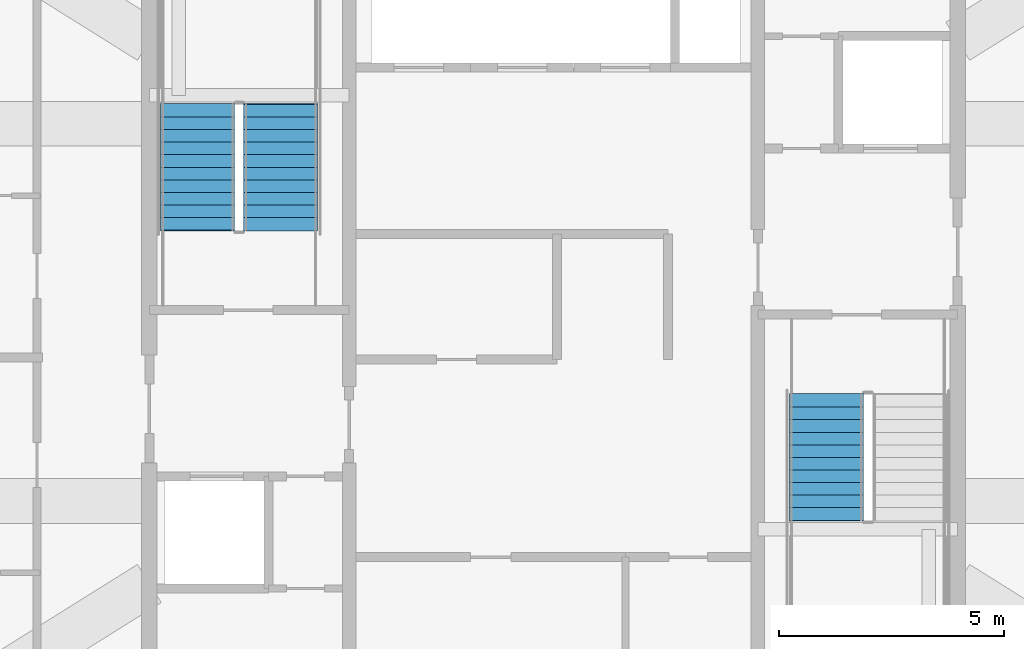
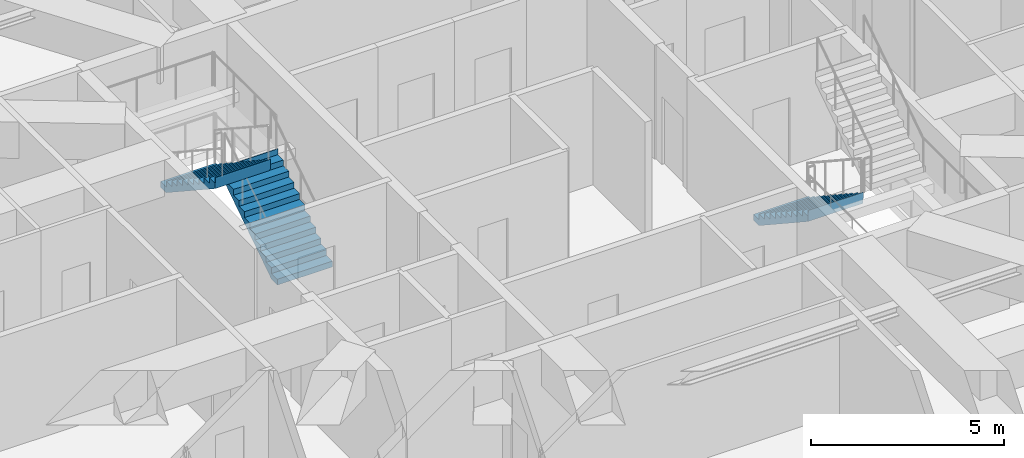
# One storey, part 34 of 40: 3 stair flights, 2 elements without a shape of their own.
"""IFC4 building model written with IfcOpenShell, lengths in metres."""

from ifc_helpers import new_model, si_unit, direction, frame, origin, place, context, subcontext, project, spatial, polygons, material, type_object, element, aggregate, save


model = new_model("IFC4")

# Units and contexts
model_context = context("Model", 3, precision=1e-05, world=origin(), true_north=direction((0.0, 1.0)))
body_context = subcontext(model_context, "Body", "Model", "MODEL_VIEW")
ifc_project = project(units=[si_unit("LENGTHUNIT", "METRE"), si_unit("AREAUNIT", "SQUARE_METRE"), si_unit("VOLUMEUNIT", "CUBIC_METRE"), si_unit("PLANEANGLEUNIT", "RADIAN"), si_unit("MASSUNIT", "GRAM", prefix="KILO")], contexts=[model_context])

# Site, building, storey
site_placement = place(None, origin())
site = spatial("IfcSite", under=ifc_project, at=site_placement, CompositionType="ELEMENT")
building_placement = place(site_placement, origin())
building = spatial("IfcBuilding", under=site, at=building_placement, Name="Serunith Strait Residences", CompositionType="ELEMENT")
storey_placement = place(building_placement, frame((0.0, 0.0, 333.949951171875)))
storey = spatial("IfcBuildingStorey", under=building, at=storey_placement, Name="L83", CompositionType="ELEMENT", Elevation=333.949951171875)

# Stair, stair flights
ifc_material = material(Name="Concrete C50/60", Category="concrete")
stair_type_1 = type_object("IfcStairType", Name="STR-CORE-1", PredefinedType="HALF_TURN_STAIR", material=ifc_material)
stair_1_placement = place(storey_placement, origin())
stair_1 = element("IfcStair", 1, at=stair_1_placement, inside=storey, type_object=stair_type_1, Name="L83 Protected Escape Stair ST-1", PredefinedType="HALF_TURN_STAIR")
stair_flight_type_1 = type_object("IfcStairFlightType", Name="FLT-CORE-1", PredefinedType="STRAIGHT", material=ifc_material)
stair_flight_1_placement = place(storey_placement, frame((26.324951171875, 27.030029296875, 0.0), z_axis=(0.0, 0.0, 1.0), x_axis=(0.0, 1.0, 0.0)))
stair_flight_1 = element("IfcStairFlight", 2, at=stair_flight_1_placement, type_object=stair_flight_type_1, Name="ST-1 flight 1", NumberOfRisers=11, NumberOfTreads=10, PredefinedType="STRAIGHT", RiserHeight=0.184090909, TreadLength=0.28, context=body_context, shape_type="Tessellation", body=[
    polygons([(-0.02001953125, -0.824951171875, 0.0), (-0.02001953125, -0.824951171875, 0.18408203125), (0.280029296875, -0.824951171875, 0.18408203125), (0.280029296875, -0.824951171875, 0.3681640625), (0.56005859375, -0.824951171875, 0.3681640625), (0.56005859375, -0.824951171875, 0.55224609375), (0.840087890625, -0.824951171875, 0.55224609375), (0.840087890625, -0.824951171875, 0.736328125), (1.1201171875, -0.824951171875, 0.736328125), (1.1201171875, -0.824951171875, 0.92041015625), (1.39990234375, -0.824951171875, 0.92041015625), (1.39990234375, -0.824951171875, 1.1044921875), (1.679931640625, -0.824951171875, 1.1044921875), (1.679931640625, -0.824951171875, 1.28857421875), (1.9599609375, -0.824951171875, 1.28857421875), (1.9599609375, -0.824951171875, 1.47265625), (2.239990234375, -0.824951171875, 1.47265625), (2.239990234375, -0.824951171875, 1.65673828125), (2.52001953125, -0.824951171875, 1.65673828125), (2.52001953125, -0.824951171875, 1.8408203125), (2.800048828125, -0.824951171875, 1.8408203125), (2.800048828125, -0.824951171875, 2.02490234375), (2.820068359375, -0.824951171875, 2.02490234375), (2.820068359375, -0.824951171875, 1.965087890625), (2.800048828125, -0.824951171875, 1.66162109375), (0.27294921875, -0.824951171875, 0.0), (-0.02001953125, -0.41259765625, 0.0), (-0.02001953125, -0.41259765625, 0.18408203125), (0.280029296875, -0.41259765625, 0.18408203125), (0.280029296875, -0.41259765625, 0.3681640625), (0.56005859375, -0.41259765625, 0.3681640625), (0.56005859375, -0.41259765625, 0.55224609375), (0.840087890625, -0.41259765625, 0.55224609375), (0.840087890625, -0.41259765625, 0.736328125), (1.1201171875, -0.41259765625, 0.736328125), (1.1201171875, -0.41259765625, 0.92041015625), (1.39990234375, -0.41259765625, 0.92041015625), (1.39990234375, -0.41259765625, 1.1044921875), (1.679931640625, -0.41259765625, 1.1044921875), (1.679931640625, -0.41259765625, 1.28857421875), (1.9599609375, -0.41259765625, 1.28857421875), (1.9599609375, -0.41259765625, 1.47265625), (2.239990234375, -0.41259765625, 1.47265625), (2.239990234375, -0.41259765625, 1.65673828125), (2.52001953125, -0.41259765625, 1.65673828125), (2.52001953125, -0.41259765625, 1.8408203125), (2.800048828125, -0.41259765625, 1.8408203125), (2.800048828125, -0.41259765625, 2.02490234375), (2.820068359375, -0.41259765625, 2.02490234375), (2.820068359375, -0.41259765625, 1.965087890625), (2.800048828125, -0.41259765625, 1.66162109375), (0.27294921875, -0.41259765625, 0.0), (-0.02001953125, 0.0, 0.0), (-0.02001953125, 0.0, 0.18408203125), (0.280029296875, 0.0, 0.18408203125), (0.280029296875, 0.0, 0.3681640625), (0.56005859375, 0.0, 0.3681640625), (0.56005859375, 0.0, 0.55224609375), (0.840087890625, 0.0, 0.55224609375), (0.840087890625, 0.0, 0.736328125), (1.1201171875, 0.0, 0.736328125), (1.1201171875, 0.0, 0.92041015625), (1.39990234375, 0.0, 0.92041015625), (1.39990234375, 0.0, 1.1044921875), (1.679931640625, 0.0, 1.1044921875), (1.679931640625, 0.0, 1.28857421875), (1.9599609375, 0.0, 1.28857421875), (1.9599609375, 0.0, 1.47265625), (2.239990234375, 0.0, 1.47265625), (2.239990234375, 0.0, 1.65673828125), (2.52001953125, 0.0, 1.65673828125), (2.52001953125, 0.0, 1.8408203125), (2.800048828125, 0.0, 1.8408203125), (2.800048828125, 0.0, 2.02490234375), (2.820068359375, 0.0, 2.02490234375), (2.820068359375, 0.0, 1.965087890625), (2.800048828125, 0.0, 1.66162109375), (0.27294921875, 0.0, 0.0), (-0.02001953125, 0.41259765625, 0.0), (-0.02001953125, 0.41259765625, 0.18408203125), (0.280029296875, 0.41259765625, 0.18408203125), (0.280029296875, 0.41259765625, 0.3681640625), (0.56005859375, 0.41259765625, 0.3681640625), (0.56005859375, 0.41259765625, 0.55224609375), (0.840087890625, 0.41259765625, 0.55224609375), (0.840087890625, 0.41259765625, 0.736328125), (1.1201171875, 0.41259765625, 0.736328125), (1.1201171875, 0.41259765625, 0.92041015625), (1.39990234375, 0.41259765625, 0.92041015625), (1.39990234375, 0.41259765625, 1.1044921875), (1.679931640625, 0.41259765625, 1.1044921875), (1.679931640625, 0.41259765625, 1.28857421875), (1.9599609375, 0.41259765625, 1.28857421875), (1.9599609375, 0.41259765625, 1.47265625), (2.239990234375, 0.41259765625, 1.47265625), (2.239990234375, 0.41259765625, 1.65673828125), (2.52001953125, 0.41259765625, 1.65673828125), (2.52001953125, 0.41259765625, 1.8408203125), (2.800048828125, 0.41259765625, 1.8408203125), (2.800048828125, 0.41259765625, 2.02490234375), (2.820068359375, 0.41259765625, 2.02490234375), (2.820068359375, 0.41259765625, 1.965087890625), (2.800048828125, 0.41259765625, 1.66162109375), (0.27294921875, 0.41259765625, 0.0), (-0.02001953125, 0.824951171875, 0.0), (-0.02001953125, 0.824951171875, 0.18408203125), (0.280029296875, 0.824951171875, 0.18408203125), (0.280029296875, 0.824951171875, 0.3681640625), (0.56005859375, 0.824951171875, 0.3681640625), (0.56005859375, 0.824951171875, 0.55224609375), (0.840087890625, 0.824951171875, 0.55224609375), (0.840087890625, 0.824951171875, 0.736328125), (1.1201171875, 0.824951171875, 0.736328125), (1.1201171875, 0.824951171875, 0.92041015625), (1.39990234375, 0.824951171875, 0.92041015625), (1.39990234375, 0.824951171875, 1.1044921875), (1.679931640625, 0.824951171875, 1.1044921875), (1.679931640625, 0.824951171875, 1.28857421875), (1.9599609375, 0.824951171875, 1.28857421875), (1.9599609375, 0.824951171875, 1.47265625), (2.239990234375, 0.824951171875, 1.47265625), (2.239990234375, 0.824951171875, 1.65673828125), (2.52001953125, 0.824951171875, 1.65673828125), (2.52001953125, 0.824951171875, 1.8408203125), (2.800048828125, 0.824951171875, 1.8408203125), (2.800048828125, 0.824951171875, 2.02490234375), (2.820068359375, 0.824951171875, 2.02490234375), (2.820068359375, 0.824951171875, 1.965087890625), (2.800048828125, 0.824951171875, 1.66162109375), (0.27294921875, 0.824951171875, 0.0)], [[[1, 2, 28, 27]], [[2, 3, 29, 28]], [[3, 4, 30, 29]], [[4, 5, 31, 30]], [[5, 6, 32, 31]], [[6, 7, 33, 32]], [[7, 8, 34, 33]], [[8, 9, 35, 34]], [[9, 10, 36, 35]], [[10, 11, 37, 36]], [[11, 12, 38, 37]], [[12, 13, 39, 38]], [[13, 14, 40, 39]], [[14, 15, 41, 40]], [[15, 16, 42, 41]], [[16, 17, 43, 42]], [[17, 18, 44, 43]], [[18, 19, 45, 44]], [[19, 20, 46, 45]], [[20, 21, 47, 46]], [[21, 22, 48, 47]], [[22, 23, 49, 48]], [[23, 24, 50, 49]], [[24, 25, 51, 50]], [[25, 26, 52, 51]], [[26, 1, 27, 52]], [[27, 28, 54, 53]], [[28, 29, 55, 54]], [[29, 30, 56, 55]], [[30, 31, 57, 56]], [[31, 32, 58, 57]], [[32, 33, 59, 58]], [[33, 34, 60, 59]], [[34, 35, 61, 60]], [[35, 36, 62, 61]], [[36, 37, 63, 62]], [[37, 38, 64, 63]], [[38, 39, 65, 64]], [[39, 40, 66, 65]], [[40, 41, 67, 66]], [[41, 42, 68, 67]], [[42, 43, 69, 68]], [[43, 44, 70, 69]], [[44, 45, 71, 70]], [[45, 46, 72, 71]], [[46, 47, 73, 72]], [[47, 48, 74, 73]], [[48, 49, 75, 74]], [[49, 50, 76, 75]], [[50, 51, 77, 76]], [[51, 52, 78, 77]], [[52, 27, 53, 78]], [[53, 54, 80, 79]], [[54, 55, 81, 80]], [[55, 56, 82, 81]], [[56, 57, 83, 82]], [[57, 58, 84, 83]], [[58, 59, 85, 84]], [[59, 60, 86, 85]], [[60, 61, 87, 86]], [[61, 62, 88, 87]], [[62, 63, 89, 88]], [[63, 64, 90, 89]], [[64, 65, 91, 90]], [[65, 66, 92, 91]], [[66, 67, 93, 92]], [[67, 68, 94, 93]], [[68, 69, 95, 94]], [[69, 70, 96, 95]], [[70, 71, 97, 96]], [[71, 72, 98, 97]], [[72, 73, 99, 98]], [[73, 74, 100, 99]], [[74, 75, 101, 100]], [[75, 76, 102, 101]], [[76, 77, 103, 102]], [[77, 78, 104, 103]], [[78, 53, 79, 104]], [[79, 80, 106, 105]], [[80, 81, 107, 106]], [[81, 82, 108, 107]], [[82, 83, 109, 108]], [[83, 84, 110, 109]], [[84, 85, 111, 110]], [[85, 86, 112, 111]], [[86, 87, 113, 112]], [[87, 88, 114, 113]], [[88, 89, 115, 114]], [[89, 90, 116, 115]], [[90, 91, 117, 116]], [[91, 92, 118, 117]], [[92, 93, 119, 118]], [[93, 94, 120, 119]], [[94, 95, 121, 120]], [[95, 96, 122, 121]], [[96, 97, 123, 122]], [[97, 98, 124, 123]], [[98, 99, 125, 124]], [[99, 100, 126, 125]], [[100, 101, 127, 126]], [[101, 102, 128, 127]], [[102, 103, 129, 128]], [[103, 104, 130, 129]], [[104, 79, 105, 130]], [[26, 25, 24, 23, 22, 21, 20, 19, 18, 17, 16, 15, 14, 13, 12, 11, 10, 9, 8, 7, 6, 5, 4, 3, 2, 1]], [[105, 106, 107, 108, 109, 110, 111, 112, 113, 114, 115, 116, 117, 118, 119, 120, 121, 122, 123, 124, 125, 126, 127, 128, 129, 130]]], closed=True),
])
stair_flight_2_placement = place(storey_placement, frame((24.47509765625, 29.830078125, 2.025146484375), z_axis=(0.0, 0.0, 1.0), x_axis=(0.0, -1.0, 0.0)))
stair_flight_2 = element("IfcStairFlight", 3, at=stair_flight_2_placement, type_object=stair_flight_type_1, Name="ST-1 flight 2", NumberOfRisers=11, NumberOfTreads=10, PredefinedType="STRAIGHT", RiserHeight=0.184090909, TreadLength=0.28, context=body_context, shape_type="Tessellation", body=[
    polygons([(-0.02001953125, -0.824951171875, 0.0), (-0.02001953125, -0.824951171875, 0.18408203125), (0.280029296875, -0.824951171875, 0.18408203125), (0.280029296875, -0.824951171875, 0.3681640625), (0.56005859375, -0.824951171875, 0.3681640625), (0.56005859375, -0.824951171875, 0.55224609375), (0.840087890625, -0.824951171875, 0.55224609375), (0.840087890625, -0.824951171875, 0.736328125), (1.1201171875, -0.824951171875, 0.736328125), (1.1201171875, -0.824951171875, 0.92041015625), (1.39990234375, -0.824951171875, 0.92041015625), (1.39990234375, -0.824951171875, 1.1044921875), (1.679931640625, -0.824951171875, 1.1044921875), (1.679931640625, -0.824951171875, 1.28857421875), (1.9599609375, -0.824951171875, 1.28857421875), (1.9599609375, -0.824951171875, 1.47265625), (2.239990234375, -0.824951171875, 1.47265625), (2.239990234375, -0.824951171875, 1.65673828125), (2.52001953125, -0.824951171875, 1.65673828125), (2.52001953125, -0.824951171875, 1.8408203125), (2.800048828125, -0.824951171875, 1.8408203125), (2.800048828125, -0.824951171875, 2.02490234375), (2.820068359375, -0.824951171875, 2.02490234375), (2.820068359375, -0.824951171875, 1.965087890625), (2.800048828125, -0.824951171875, 1.66162109375), (0.27294921875, -0.824951171875, 0.0), (-0.02001953125, -0.41259765625, 0.0), (-0.02001953125, -0.41259765625, 0.18408203125), (0.280029296875, -0.41259765625, 0.18408203125), (0.280029296875, -0.41259765625, 0.3681640625), (0.56005859375, -0.41259765625, 0.3681640625), (0.56005859375, -0.41259765625, 0.55224609375), (0.840087890625, -0.41259765625, 0.55224609375), (0.840087890625, -0.41259765625, 0.736328125), (1.1201171875, -0.41259765625, 0.736328125), (1.1201171875, -0.41259765625, 0.92041015625), (1.39990234375, -0.41259765625, 0.92041015625), (1.39990234375, -0.41259765625, 1.1044921875), (1.679931640625, -0.41259765625, 1.1044921875), (1.679931640625, -0.41259765625, 1.28857421875), (1.9599609375, -0.41259765625, 1.28857421875), (1.9599609375, -0.41259765625, 1.47265625), (2.239990234375, -0.41259765625, 1.47265625), (2.239990234375, -0.41259765625, 1.65673828125), (2.52001953125, -0.41259765625, 1.65673828125), (2.52001953125, -0.41259765625, 1.8408203125), (2.800048828125, -0.41259765625, 1.8408203125), (2.800048828125, -0.41259765625, 2.02490234375), (2.820068359375, -0.41259765625, 2.02490234375), (2.820068359375, -0.41259765625, 1.965087890625), (2.800048828125, -0.41259765625, 1.66162109375), (0.27294921875, -0.41259765625, 0.0), (-0.02001953125, 0.0, 0.0), (-0.02001953125, 0.0, 0.18408203125), (0.280029296875, 0.0, 0.18408203125), (0.280029296875, 0.0, 0.3681640625), (0.56005859375, 0.0, 0.3681640625), (0.56005859375, 0.0, 0.55224609375), (0.840087890625, 0.0, 0.55224609375), (0.840087890625, 0.0, 0.736328125), (1.1201171875, 0.0, 0.736328125), (1.1201171875, 0.0, 0.92041015625), (1.39990234375, 0.0, 0.92041015625), (1.39990234375, 0.0, 1.1044921875), (1.679931640625, 0.0, 1.1044921875), (1.679931640625, 0.0, 1.28857421875), (1.9599609375, 0.0, 1.28857421875), (1.9599609375, 0.0, 1.47265625), (2.239990234375, 0.0, 1.47265625), (2.239990234375, 0.0, 1.65673828125), (2.52001953125, 0.0, 1.65673828125), (2.52001953125, 0.0, 1.8408203125), (2.800048828125, 0.0, 1.8408203125), (2.800048828125, 0.0, 2.02490234375), (2.820068359375, 0.0, 2.02490234375), (2.820068359375, 0.0, 1.965087890625), (2.800048828125, 0.0, 1.66162109375), (0.27294921875, 0.0, 0.0), (-0.02001953125, 0.41259765625, 0.0), (-0.02001953125, 0.41259765625, 0.18408203125), (0.280029296875, 0.41259765625, 0.18408203125), (0.280029296875, 0.41259765625, 0.3681640625), (0.56005859375, 0.41259765625, 0.3681640625), (0.56005859375, 0.41259765625, 0.55224609375), (0.840087890625, 0.41259765625, 0.55224609375), (0.840087890625, 0.41259765625, 0.736328125), (1.1201171875, 0.41259765625, 0.736328125), (1.1201171875, 0.41259765625, 0.92041015625), (1.39990234375, 0.41259765625, 0.92041015625), (1.39990234375, 0.41259765625, 1.1044921875), (1.679931640625, 0.41259765625, 1.1044921875), (1.679931640625, 0.41259765625, 1.28857421875), (1.9599609375, 0.41259765625, 1.28857421875), (1.9599609375, 0.41259765625, 1.47265625), (2.239990234375, 0.41259765625, 1.47265625), (2.239990234375, 0.41259765625, 1.65673828125), (2.52001953125, 0.41259765625, 1.65673828125), (2.52001953125, 0.41259765625, 1.8408203125), (2.800048828125, 0.41259765625, 1.8408203125), (2.800048828125, 0.41259765625, 2.02490234375), (2.820068359375, 0.41259765625, 2.02490234375), (2.820068359375, 0.41259765625, 1.965087890625), (2.800048828125, 0.41259765625, 1.66162109375), (0.27294921875, 0.41259765625, 0.0), (-0.02001953125, 0.824951171875, 0.0), (-0.02001953125, 0.824951171875, 0.18408203125), (0.280029296875, 0.824951171875, 0.18408203125), (0.280029296875, 0.824951171875, 0.3681640625), (0.56005859375, 0.824951171875, 0.3681640625), (0.56005859375, 0.824951171875, 0.55224609375), (0.840087890625, 0.824951171875, 0.55224609375), (0.840087890625, 0.824951171875, 0.736328125), (1.1201171875, 0.824951171875, 0.736328125), (1.1201171875, 0.824951171875, 0.92041015625), (1.39990234375, 0.824951171875, 0.92041015625), (1.39990234375, 0.824951171875, 1.1044921875), (1.679931640625, 0.824951171875, 1.1044921875), (1.679931640625, 0.824951171875, 1.28857421875), (1.9599609375, 0.824951171875, 1.28857421875), (1.9599609375, 0.824951171875, 1.47265625), (2.239990234375, 0.824951171875, 1.47265625), (2.239990234375, 0.824951171875, 1.65673828125), (2.52001953125, 0.824951171875, 1.65673828125), (2.52001953125, 0.824951171875, 1.8408203125), (2.800048828125, 0.824951171875, 1.8408203125), (2.800048828125, 0.824951171875, 2.02490234375), (2.820068359375, 0.824951171875, 2.02490234375), (2.820068359375, 0.824951171875, 1.965087890625), (2.800048828125, 0.824951171875, 1.66162109375), (0.27294921875, 0.824951171875, 0.0)], [[[1, 2, 28, 27]], [[2, 3, 29, 28]], [[3, 4, 30, 29]], [[4, 5, 31, 30]], [[5, 6, 32, 31]], [[6, 7, 33, 32]], [[7, 8, 34, 33]], [[8, 9, 35, 34]], [[9, 10, 36, 35]], [[10, 11, 37, 36]], [[11, 12, 38, 37]], [[12, 13, 39, 38]], [[13, 14, 40, 39]], [[14, 15, 41, 40]], [[15, 16, 42, 41]], [[16, 17, 43, 42]], [[17, 18, 44, 43]], [[18, 19, 45, 44]], [[19, 20, 46, 45]], [[20, 21, 47, 46]], [[21, 22, 48, 47]], [[22, 23, 49, 48]], [[23, 24, 50, 49]], [[24, 25, 51, 50]], [[25, 26, 52, 51]], [[26, 1, 27, 52]], [[27, 28, 54, 53]], [[28, 29, 55, 54]], [[29, 30, 56, 55]], [[30, 31, 57, 56]], [[31, 32, 58, 57]], [[32, 33, 59, 58]], [[33, 34, 60, 59]], [[34, 35, 61, 60]], [[35, 36, 62, 61]], [[36, 37, 63, 62]], [[37, 38, 64, 63]], [[38, 39, 65, 64]], [[39, 40, 66, 65]], [[40, 41, 67, 66]], [[41, 42, 68, 67]], [[42, 43, 69, 68]], [[43, 44, 70, 69]], [[44, 45, 71, 70]], [[45, 46, 72, 71]], [[46, 47, 73, 72]], [[47, 48, 74, 73]], [[48, 49, 75, 74]], [[49, 50, 76, 75]], [[50, 51, 77, 76]], [[51, 52, 78, 77]], [[52, 27, 53, 78]], [[53, 54, 80, 79]], [[54, 55, 81, 80]], [[55, 56, 82, 81]], [[56, 57, 83, 82]], [[57, 58, 84, 83]], [[58, 59, 85, 84]], [[59, 60, 86, 85]], [[60, 61, 87, 86]], [[61, 62, 88, 87]], [[62, 63, 89, 88]], [[63, 64, 90, 89]], [[64, 65, 91, 90]], [[65, 66, 92, 91]], [[66, 67, 93, 92]], [[67, 68, 94, 93]], [[68, 69, 95, 94]], [[69, 70, 96, 95]], [[70, 71, 97, 96]], [[71, 72, 98, 97]], [[72, 73, 99, 98]], [[73, 74, 100, 99]], [[74, 75, 101, 100]], [[75, 76, 102, 101]], [[76, 77, 103, 102]], [[77, 78, 104, 103]], [[78, 53, 79, 104]], [[79, 80, 106, 105]], [[80, 81, 107, 106]], [[81, 82, 108, 107]], [[82, 83, 109, 108]], [[83, 84, 110, 109]], [[84, 85, 111, 110]], [[85, 86, 112, 111]], [[86, 87, 113, 112]], [[87, 88, 114, 113]], [[88, 89, 115, 114]], [[89, 90, 116, 115]], [[90, 91, 117, 116]], [[91, 92, 118, 117]], [[92, 93, 119, 118]], [[93, 94, 120, 119]], [[94, 95, 121, 120]], [[95, 96, 122, 121]], [[96, 97, 123, 122]], [[97, 98, 124, 123]], [[98, 99, 125, 124]], [[99, 100, 126, 125]], [[100, 101, 127, 126]], [[101, 102, 128, 127]], [[102, 103, 129, 128]], [[103, 104, 130, 129]], [[104, 79, 105, 130]], [[26, 25, 24, 23, 22, 21, 20, 19, 18, 17, 16, 15, 14, 13, 12, 11, 10, 9, 8, 7, 6, 5, 4, 3, 2, 1]], [[105, 106, 107, 108, 109, 110, 111, 112, 113, 114, 115, 116, 117, 118, 119, 120, 121, 122, 123, 124, 125, 126, 127, 128, 129, 130]]], closed=True),
])
aggregate(stair_1, [stair_flight_1, stair_flight_2])

# Stair, stair flight
stair_type_2 = type_object("IfcStairType", Name="STR-CORE-2", PredefinedType="HALF_TURN_STAIR", material=ifc_material)
stair_2_placement = place(storey_placement, origin())
stair_2 = element("IfcStair", 4, at=stair_2_placement, inside=storey, type_object=stair_type_2, Name="L83 Protected Escape Stair ST-2", PredefinedType="HALF_TURN_STAIR")
stair_flight_type_2 = type_object("IfcStairFlightType", Name="FLT-CORE-2", PredefinedType="STRAIGHT", material=ifc_material)
stair_flight_3_placement = place(storey_placement, frame((38.47509765625, 23.3701171875, 0.0), z_axis=(0.0, 0.0, 1.0), x_axis=(0.0, -1.0, 0.0)))
stair_flight_3 = element("IfcStairFlight", 5, at=stair_flight_3_placement, type_object=stair_flight_type_2, Name="ST-2 flight 1", NumberOfRisers=11, NumberOfTreads=10, PredefinedType="STRAIGHT", RiserHeight=0.184090909, TreadLength=0.28, context=body_context, shape_type="Tessellation", body=[
    polygons([(-0.02001953125, -0.824951171875, 0.0), (-0.02001953125, -0.824951171875, 0.18408203125), (0.280029296875, -0.824951171875, 0.18408203125), (0.280029296875, -0.824951171875, 0.3681640625), (0.56005859375, -0.824951171875, 0.3681640625), (0.56005859375, -0.824951171875, 0.55224609375), (0.840087890625, -0.824951171875, 0.55224609375), (0.840087890625, -0.824951171875, 0.736328125), (1.1201171875, -0.824951171875, 0.736328125), (1.1201171875, -0.824951171875, 0.92041015625), (1.39990234375, -0.824951171875, 0.92041015625), (1.39990234375, -0.824951171875, 1.1044921875), (1.679931640625, -0.824951171875, 1.1044921875), (1.679931640625, -0.824951171875, 1.28857421875), (1.9599609375, -0.824951171875, 1.28857421875), (1.9599609375, -0.824951171875, 1.47265625), (2.239990234375, -0.824951171875, 1.47265625), (2.239990234375, -0.824951171875, 1.65673828125), (2.52001953125, -0.824951171875, 1.65673828125), (2.52001953125, -0.824951171875, 1.8408203125), (2.800048828125, -0.824951171875, 1.8408203125), (2.800048828125, -0.824951171875, 2.02490234375), (2.820068359375, -0.824951171875, 2.02490234375), (2.820068359375, -0.824951171875, 1.965087890625), (2.800048828125, -0.824951171875, 1.66162109375), (0.27294921875, -0.824951171875, 0.0), (-0.02001953125, -0.41259765625, 0.0), (-0.02001953125, -0.41259765625, 0.18408203125), (0.280029296875, -0.41259765625, 0.18408203125), (0.280029296875, -0.41259765625, 0.3681640625), (0.56005859375, -0.41259765625, 0.3681640625), (0.56005859375, -0.41259765625, 0.55224609375), (0.840087890625, -0.41259765625, 0.55224609375), (0.840087890625, -0.41259765625, 0.736328125), (1.1201171875, -0.41259765625, 0.736328125), (1.1201171875, -0.41259765625, 0.92041015625), (1.39990234375, -0.41259765625, 0.92041015625), (1.39990234375, -0.41259765625, 1.1044921875), (1.679931640625, -0.41259765625, 1.1044921875), (1.679931640625, -0.41259765625, 1.28857421875), (1.9599609375, -0.41259765625, 1.28857421875), (1.9599609375, -0.41259765625, 1.47265625), (2.239990234375, -0.41259765625, 1.47265625), (2.239990234375, -0.41259765625, 1.65673828125), (2.52001953125, -0.41259765625, 1.65673828125), (2.52001953125, -0.41259765625, 1.8408203125), (2.800048828125, -0.41259765625, 1.8408203125), (2.800048828125, -0.41259765625, 2.02490234375), (2.820068359375, -0.41259765625, 2.02490234375), (2.820068359375, -0.41259765625, 1.965087890625), (2.800048828125, -0.41259765625, 1.66162109375), (0.27294921875, -0.41259765625, 0.0), (-0.02001953125, 0.0, 0.0), (-0.02001953125, 0.0, 0.18408203125), (0.280029296875, 0.0, 0.18408203125), (0.280029296875, 0.0, 0.3681640625), (0.56005859375, 0.0, 0.3681640625), (0.56005859375, 0.0, 0.55224609375), (0.840087890625, 0.0, 0.55224609375), (0.840087890625, 0.0, 0.736328125), (1.1201171875, 0.0, 0.736328125), (1.1201171875, 0.0, 0.92041015625), (1.39990234375, 0.0, 0.92041015625), (1.39990234375, 0.0, 1.1044921875), (1.679931640625, 0.0, 1.1044921875), (1.679931640625, 0.0, 1.28857421875), (1.9599609375, 0.0, 1.28857421875), (1.9599609375, 0.0, 1.47265625), (2.239990234375, 0.0, 1.47265625), (2.239990234375, 0.0, 1.65673828125), (2.52001953125, 0.0, 1.65673828125), (2.52001953125, 0.0, 1.8408203125), (2.800048828125, 0.0, 1.8408203125), (2.800048828125, 0.0, 2.02490234375), (2.820068359375, 0.0, 2.02490234375), (2.820068359375, 0.0, 1.965087890625), (2.800048828125, 0.0, 1.66162109375), (0.27294921875, 0.0, 0.0), (-0.02001953125, 0.41259765625, 0.0), (-0.02001953125, 0.41259765625, 0.18408203125), (0.280029296875, 0.41259765625, 0.18408203125), (0.280029296875, 0.41259765625, 0.3681640625), (0.56005859375, 0.41259765625, 0.3681640625), (0.56005859375, 0.41259765625, 0.55224609375), (0.840087890625, 0.41259765625, 0.55224609375), (0.840087890625, 0.41259765625, 0.736328125), (1.1201171875, 0.41259765625, 0.736328125), (1.1201171875, 0.41259765625, 0.92041015625), (1.39990234375, 0.41259765625, 0.92041015625), (1.39990234375, 0.41259765625, 1.1044921875), (1.679931640625, 0.41259765625, 1.1044921875), (1.679931640625, 0.41259765625, 1.28857421875), (1.9599609375, 0.41259765625, 1.28857421875), (1.9599609375, 0.41259765625, 1.47265625), (2.239990234375, 0.41259765625, 1.47265625), (2.239990234375, 0.41259765625, 1.65673828125), (2.52001953125, 0.41259765625, 1.65673828125), (2.52001953125, 0.41259765625, 1.8408203125), (2.800048828125, 0.41259765625, 1.8408203125), (2.800048828125, 0.41259765625, 2.02490234375), (2.820068359375, 0.41259765625, 2.02490234375), (2.820068359375, 0.41259765625, 1.965087890625), (2.800048828125, 0.41259765625, 1.66162109375), (0.27294921875, 0.41259765625, 0.0), (-0.02001953125, 0.824951171875, 0.0), (-0.02001953125, 0.824951171875, 0.18408203125), (0.280029296875, 0.824951171875, 0.18408203125), (0.280029296875, 0.824951171875, 0.3681640625), (0.56005859375, 0.824951171875, 0.3681640625), (0.56005859375, 0.824951171875, 0.55224609375), (0.840087890625, 0.824951171875, 0.55224609375), (0.840087890625, 0.824951171875, 0.736328125), (1.1201171875, 0.824951171875, 0.736328125), (1.1201171875, 0.824951171875, 0.92041015625), (1.39990234375, 0.824951171875, 0.92041015625), (1.39990234375, 0.824951171875, 1.1044921875), (1.679931640625, 0.824951171875, 1.1044921875), (1.679931640625, 0.824951171875, 1.28857421875), (1.9599609375, 0.824951171875, 1.28857421875), (1.9599609375, 0.824951171875, 1.47265625), (2.239990234375, 0.824951171875, 1.47265625), (2.239990234375, 0.824951171875, 1.65673828125), (2.52001953125, 0.824951171875, 1.65673828125), (2.52001953125, 0.824951171875, 1.8408203125), (2.800048828125, 0.824951171875, 1.8408203125), (2.800048828125, 0.824951171875, 2.02490234375), (2.820068359375, 0.824951171875, 2.02490234375), (2.820068359375, 0.824951171875, 1.965087890625), (2.800048828125, 0.824951171875, 1.66162109375), (0.27294921875, 0.824951171875, 0.0)], [[[1, 2, 28, 27]], [[2, 3, 29, 28]], [[3, 4, 30, 29]], [[4, 5, 31, 30]], [[5, 6, 32, 31]], [[6, 7, 33, 32]], [[7, 8, 34, 33]], [[8, 9, 35, 34]], [[9, 10, 36, 35]], [[10, 11, 37, 36]], [[11, 12, 38, 37]], [[12, 13, 39, 38]], [[13, 14, 40, 39]], [[14, 15, 41, 40]], [[15, 16, 42, 41]], [[16, 17, 43, 42]], [[17, 18, 44, 43]], [[18, 19, 45, 44]], [[19, 20, 46, 45]], [[20, 21, 47, 46]], [[21, 22, 48, 47]], [[22, 23, 49, 48]], [[23, 24, 50, 49]], [[24, 25, 51, 50]], [[25, 26, 52, 51]], [[26, 1, 27, 52]], [[27, 28, 54, 53]], [[28, 29, 55, 54]], [[29, 30, 56, 55]], [[30, 31, 57, 56]], [[31, 32, 58, 57]], [[32, 33, 59, 58]], [[33, 34, 60, 59]], [[34, 35, 61, 60]], [[35, 36, 62, 61]], [[36, 37, 63, 62]], [[37, 38, 64, 63]], [[38, 39, 65, 64]], [[39, 40, 66, 65]], [[40, 41, 67, 66]], [[41, 42, 68, 67]], [[42, 43, 69, 68]], [[43, 44, 70, 69]], [[44, 45, 71, 70]], [[45, 46, 72, 71]], [[46, 47, 73, 72]], [[47, 48, 74, 73]], [[48, 49, 75, 74]], [[49, 50, 76, 75]], [[50, 51, 77, 76]], [[51, 52, 78, 77]], [[52, 27, 53, 78]], [[53, 54, 80, 79]], [[54, 55, 81, 80]], [[55, 56, 82, 81]], [[56, 57, 83, 82]], [[57, 58, 84, 83]], [[58, 59, 85, 84]], [[59, 60, 86, 85]], [[60, 61, 87, 86]], [[61, 62, 88, 87]], [[62, 63, 89, 88]], [[63, 64, 90, 89]], [[64, 65, 91, 90]], [[65, 66, 92, 91]], [[66, 67, 93, 92]], [[67, 68, 94, 93]], [[68, 69, 95, 94]], [[69, 70, 96, 95]], [[70, 71, 97, 96]], [[71, 72, 98, 97]], [[72, 73, 99, 98]], [[73, 74, 100, 99]], [[74, 75, 101, 100]], [[75, 76, 102, 101]], [[76, 77, 103, 102]], [[77, 78, 104, 103]], [[78, 53, 79, 104]], [[79, 80, 106, 105]], [[80, 81, 107, 106]], [[81, 82, 108, 107]], [[82, 83, 109, 108]], [[83, 84, 110, 109]], [[84, 85, 111, 110]], [[85, 86, 112, 111]], [[86, 87, 113, 112]], [[87, 88, 114, 113]], [[88, 89, 115, 114]], [[89, 90, 116, 115]], [[90, 91, 117, 116]], [[91, 92, 118, 117]], [[92, 93, 119, 118]], [[93, 94, 120, 119]], [[94, 95, 121, 120]], [[95, 96, 122, 121]], [[96, 97, 123, 122]], [[97, 98, 124, 123]], [[98, 99, 125, 124]], [[99, 100, 126, 125]], [[100, 101, 127, 126]], [[101, 102, 128, 127]], [[102, 103, 129, 128]], [[103, 104, 130, 129]], [[104, 79, 105, 130]], [[26, 25, 24, 23, 22, 21, 20, 19, 18, 17, 16, 15, 14, 13, 12, 11, 10, 9, 8, 7, 6, 5, 4, 3, 2, 1]], [[105, 106, 107, 108, 109, 110, 111, 112, 113, 114, 115, 116, 117, 118, 119, 120, 121, 122, 123, 124, 125, 126, 127, 128, 129, 130]]], closed=True),
])
aggregate(stair_2, [stair_flight_3])

save(model, "model.ifc")
